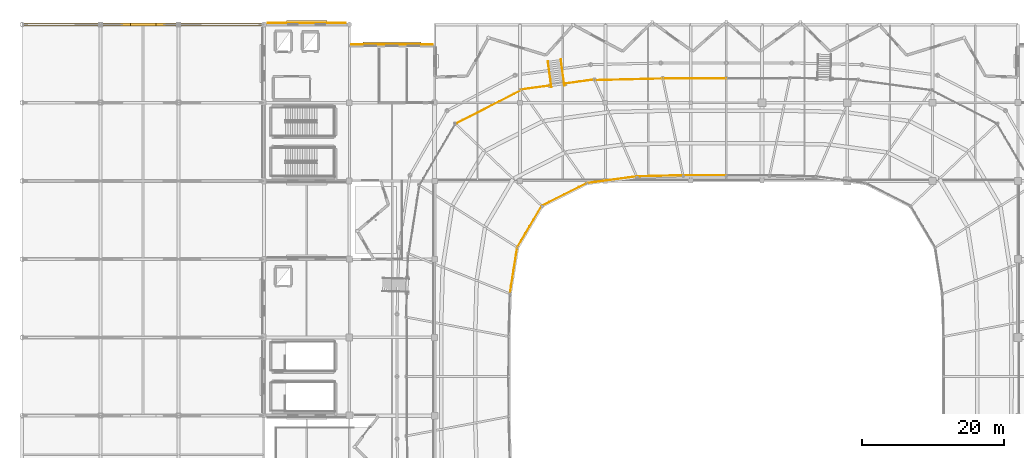
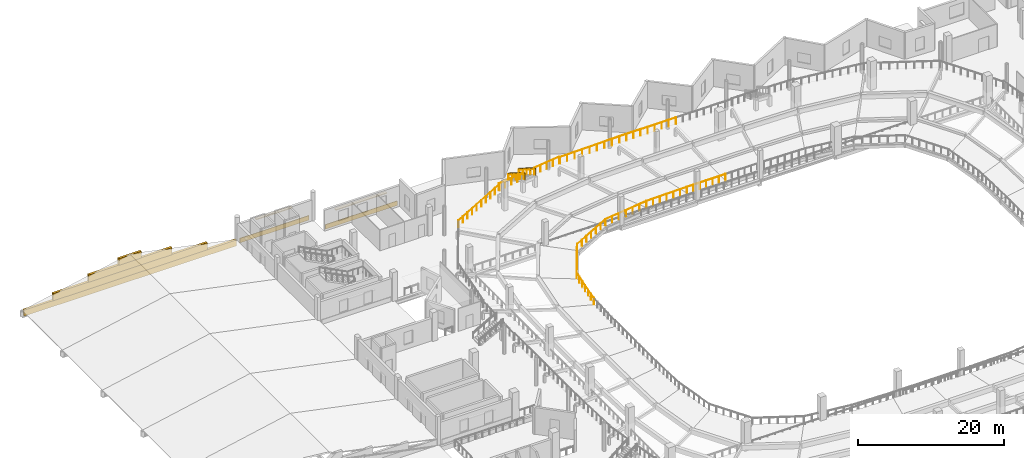
# One storey, part 71 of 77: 15 railings, 8 coverings.
"""IFC4 building model written with IfcOpenShell, lengths in metres."""

import ifcopenshell
import ifcopenshell.guid

model = None  # the IFC model being written
_history = None  # IfcOwnerHistory: only IFC2X3 demands one
_inside = {}  # id of a spatial element -> (the spatial element, [elements in it])
_under = {}  # id of a project, library or spatial element -> (it, [spatial elements below it])
_declared = {}  # id of a project -> (the project, [libraries it declares])
_typed = {}  # id of a type object -> (the type object, [elements of that type])
_made_of = {}  # id of a material, layer set ... -> (it, [elements and type objects made of it])


def new_model(schema):
    """Start an empty IFC model of exactly this schema.

    Asked for "IFC4X3", IfcOpenShell would pick the latest addendum, in which some entities
    have other attributes; the version numbers below select the first issue.
    IFC2X3 requires an IfcOwnerHistory on every rooted entity: one is made here for all.
    """
    global model, _history
    if schema == "IFC4X3":
        model = ifcopenshell.file(schema_version=(4, 3, 0, 0))
    else:
        model = ifcopenshell.file(schema=schema)
    _inside.clear()
    _under.clear()
    _declared.clear()
    _typed.clear()
    _made_of.clear()
    _history = None
    if model.schema == "IFC2X3":
        org = make("IfcOrganization", Name="unknown")
        user = make(
            "IfcPersonAndOrganization",
            ThePerson=make("IfcPerson", FamilyName="unknown"),
            TheOrganization=org,
        )
        app = make(
            "IfcApplication",
            ApplicationDeveloper=org,
            Version="unknown",
            ApplicationFullName="unknown",
            ApplicationIdentifier="unknown",
        )
        _history = make(
            "IfcOwnerHistory",
            OwningUser=user,
            OwningApplication=app,
            ChangeAction="ADDED",
            CreationDate=0,
        )
    return model


def make(cls, **values):
    """One entity of the class cls with the attributes given. An attribute that is None is left unset."""
    return model.create_entity(
        cls, **{name: value for name, value in values.items() if value is not None}
    )


def rooted(cls, **values):
    """An entity with a GlobalId (a new one), such as an element, a storey or a relation."""
    return make(cls, GlobalId=ifcopenshell.guid.new(), OwnerHistory=_history, **values)


def si_unit(unit_type, name, prefix=None):
    """IfcSIUnit, for example si_unit("LENGTHUNIT", "METRE", prefix="MILLI")."""
    return make("IfcSIUnit", UnitType=unit_type, Prefix=prefix, Name=name)


def assignment(units):
    """IfcUnitAssignment: the units of a project."""
    return None if units is None else make("IfcUnitAssignment", Units=units)


def point(xyz):
    """IfcCartesianPoint."""
    return None if xyz is None else make("IfcCartesianPoint", Coordinates=xyz)


def direction(xyz):
    """IfcDirection."""
    return None if xyz is None else make("IfcDirection", DirectionRatios=xyz)


def frame(location, z_axis=None, x_axis=None):
    """IfcAxis2Placement3D, a coordinate frame: its origin and axes. An axis left out is left unset."""
    return make(
        "IfcAxis2Placement3D",
        Location=point(location),
        Axis=direction(z_axis),
        RefDirection=direction(x_axis),
    )


def frame_2d(location, x_axis=None):
    """IfcAxis2Placement2D, a coordinate frame in the plane: its origin and x axis."""
    return make(
        "IfcAxis2Placement2D", Location=point(location), RefDirection=direction(x_axis)
    )


def origin():
    """The frame at (0, 0, 0) with its axes left unset."""
    return frame((0.0, 0.0, 0.0))


def origin_2d():
    """The frame at (0, 0) in the plane with its x axis left unset."""
    return frame_2d((0.0, 0.0))


def place(relative_to, where):
    """IfcLocalPlacement: puts the frame where relative to a parent placement (None: the world)."""
    return make(
        "IfcLocalPlacement", PlacementRelTo=relative_to, RelativePlacement=where
    )


def context(
    kind, dimensions, precision=None, world=None, true_north=None, identifier=None
):
    """IfcGeometricRepresentationContext, for example the 3D "Model" context."""
    return make(
        "IfcGeometricRepresentationContext",
        ContextIdentifier=identifier,
        ContextType=kind,
        CoordinateSpaceDimension=dimensions,
        Precision=precision,
        WorldCoordinateSystem=world,
        TrueNorth=true_north,
    )


def subcontext(parent, identifier, kind, view, scale=None):
    """IfcGeometricRepresentationSubContext, for example "Body" below "Model"."""
    return make(
        "IfcGeometricRepresentationSubContext",
        ContextIdentifier=identifier,
        ContextType=kind,
        ParentContext=parent,
        TargetScale=scale,
        TargetView=view,
    )


def project(units=None, contexts=None):
    """IfcProject with its units and contexts."""
    return rooted(
        "IfcProject",
        Name="project",
        RepresentationContexts=contexts,
        UnitsInContext=assignment(units),
    )


def spatial(cls, under=None, at=None, **own):
    """A site, building, storey or space (cls), placed at a placement, below another one or the project."""
    s = rooted(cls, ObjectPlacement=at, **own)
    if under is not None:
        _under.setdefault(under.id(), (under, []))[1].append(s)
    return s


def profile(cls, at=None, kind="AREA", **sizes):
    """A parametric profile (cls). Its sizes go by their IFC names, for example OverallWidth=200.0."""
    return make(cls, ProfileType=kind, Position=at, **sizes)


def rectangle(**sizes):
    """IfcRectangleProfileDef."""
    return profile("IfcRectangleProfileDef", **sizes)


def circle(**sizes):
    """IfcCircleProfileDef."""
    return profile("IfcCircleProfileDef", **sizes)


def extrude(swept, where, along, depth):
    """IfcExtrudedAreaSolid: the profile swept, set in the frame where, extruded along a direction by depth."""
    return make(
        "IfcExtrudedAreaSolid",
        SweptArea=swept,
        Position=where,
        ExtrudedDirection=direction(along),
        Depth=depth,
    )


def shape(context_of_items, identifier, shape_type, items):
    """IfcShapeRepresentation: the items that make up one representation, for example the "Body"."""
    return make(
        "IfcShapeRepresentation",
        ContextOfItems=context_of_items,
        RepresentationIdentifier=identifier,
        RepresentationType=shape_type,
        Items=items,
    )


def material(Name=None, Category=None):
    """IfcMaterial."""
    return make("IfcMaterial", Name=Name, Category=Category)


def layer(
    of_material, thickness, ventilated=None, Name=None, Category=None, Priority=None
):
    """IfcMaterialLayer: one layer of a wall or slab, of a material (None: an air gap)."""
    return make(
        "IfcMaterialLayer",
        Material=of_material,
        LayerThickness=thickness,
        IsVentilated=ventilated,
        Name=Name,
        Category=Category,
        Priority=Priority,
    )


def layer_set(layers, Name=None):
    """IfcMaterialLayerSet."""
    return make("IfcMaterialLayerSet", MaterialLayers=layers, LayerSetName=Name)


def made_of(thing, what):
    """Note that an element or type object is made of a material, layer set ...; save() writes the relation."""
    if what is not None:
        _made_of.setdefault(what.id(), (what, []))[1].append(thing)
    return thing


def type_object(cls, material=None, **own):
    """A type object (cls), such as IfcWallType, which elements share."""
    return made_of(rooted(cls, **own), material)


def element(
    cls,
    number,
    at=None,
    inside=None,
    cuts=None,
    type_object=None,
    material=None,
    context=None,
    identifier="Body",
    shape_type=None,
    held_by="IfcProductDefinitionShape",
    body=None,
    shapes=None,
    **own,
):
    """One element of the class cls, such as IfcWall. Its Tag is "e" and its number.

    at: its placement. inside: the storey or other place that contains it. cuts: it is an
    opening in that element (IfcRelVoidsElement). A single representation is given by context,
    identifier, shape_type and body (its items); several are given by shapes. held_by: the class
    of the entity that holds the representations. save() writes the other relations.
    """
    e = rooted(cls, Tag="e%d" % number, ObjectPlacement=at, **own)
    if body is not None:
        shapes = [shape(context, identifier, shape_type, body)]
    if shapes is not None:
        e.Representation = make(held_by, Representations=shapes)
    if inside is not None:
        _inside.setdefault(inside.id(), (inside, []))[1].append(e)
    if cuts is not None:
        rooted(
            "IfcRelVoidsElement", RelatingBuildingElement=cuts, RelatedOpeningElement=e
        )
    if type_object is not None:
        _typed.setdefault(type_object.id(), (type_object, []))[1].append(e)
    return made_of(e, material)


def aggregate(whole, parts):
    """IfcRelAggregates: a whole, such as a stair, and the parts it consists of."""
    return rooted("IfcRelAggregates", RelatingObject=whole, RelatedObjects=parts)


def save(model, path):
    """Write the relations noted so far, then the file.

    IfcRelAggregates (storeys below a building ...), IfcRelContainedInSpatialStructure (elements
    in a storey), IfcRelDefinesByType, IfcRelAssociatesMaterial and IfcRelDeclares: one each for
    every whole, place, type object, material and project.
    """
    for whole, parts in _under.values():
        aggregate(whole, parts)
    for where, things in _inside.values():
        rooted(
            "IfcRelContainedInSpatialStructure",
            RelatedElements=things,
            RelatingStructure=where,
        )
    for kind, things in _typed.values():
        rooted("IfcRelDefinesByType", RelatedObjects=things, RelatingType=kind)
    for what, things in _made_of.values():
        rooted("IfcRelAssociatesMaterial", RelatedObjects=things, RelatingMaterial=what)
    for by, libraries in _declared.values():
        rooted("IfcRelDeclares", RelatingContext=by, RelatedDefinitions=libraries)
    model.write(path)


model = new_model("IFC4")

# Units and contexts
model_context = context("Model", 3, precision=1e-05, world=origin(), true_north=direction((0.0, 1.0)))
body_context = subcontext(model_context, "Body", "Model", "MODEL_VIEW")
ifc_project = project(units=[si_unit("LENGTHUNIT", "METRE"), si_unit("AREAUNIT", "SQUARE_METRE"), si_unit("VOLUMEUNIT", "CUBIC_METRE"), si_unit("PLANEANGLEUNIT", "RADIAN"), si_unit("MASSUNIT", "GRAM", prefix="KILO")], contexts=[model_context])

# Site, building, storey
site_placement = place(None, origin())
site = spatial("IfcSite", under=ifc_project, at=site_placement, CompositionType="ELEMENT")
building_placement = place(site_placement, origin())
building = spatial("IfcBuilding", under=site, at=building_placement, Name="Luwafu Chhajja Arena", CompositionType="ELEMENT")
storey_placement = place(building_placement, frame((0.0, 0.0, 14.699951171875)))
storey = spatial("IfcBuildingStorey", under=building, at=storey_placement, Name="L03", CompositionType="ELEMENT", Elevation=14.699951171875)

# Railings
ifc_material_1 = material(Name="Stainless steel balustrade", Category="steel")
railing_type_1 = type_object("IfcRailingType", Name="Atrium Void Glazed Balustrade 1150", PredefinedType="BALUSTRADE", material=ifc_material_1)
for number, where, name in (
    (1, (73.917236328125, 93.825439453125, 0.0), "L03 Vomitory VM-11 Guard L"),
    (2, (75.740478515625, 94.073974609375, 0.0), "L03 Vomitory VM-11 Guard R"),
):
    element("IfcRailing", number, at=place(storey_placement, frame(where)), inside=storey, type_object=railing_type_1, Name=name, PredefinedType="BALUSTRADE", context=body_context, shape_type="SweptSolid", body=[
        extrude(circle(Radius=0.02392578125, at=origin_2d()), frame((0.0, 0.0, 1.1259765625), z_axis=(0.116323302151, -0.852670018924, 0.509335575241), x_axis=(0.990822369828, 0.135170379332, 0.0)), (0.0, 0.0, 1.0), 3.985595703125),
        extrude(circle(Radius=0.02392578125, at=origin_2d()), frame((0.463623046875, -3.3984375, 3.15576171875), z_axis=(0.13472111401, -0.990883555944, 0.0), x_axis=(0.990883555944, 0.13472111401, 0.0)), (0.0, 0.0, 1.0), 0.25),
        extrude(circle(Radius=0.02099609375, at=origin_2d()), origin(), (0.0, 0.0, 1.0), 1.101806640625),
        extrude(circle(Radius=0.02099609375, at=origin_2d()), frame((0.115966796875, -0.849609375, 0.507568359375)), (0.0, 0.0, 1.0), 1.101806640625),
        extrude(circle(Radius=0.02099609375, at=origin_2d()), frame((0.23193359375, -1.69921875, 1.01513671875)), (0.0, 0.0, 1.0), 1.101806640625),
        extrude(circle(Radius=0.02099609375, at=origin_2d()), frame((0.34765625, -2.548828125, 1.5224609375)), (0.0, 0.0, 1.0), 1.101806640625),
        extrude(circle(Radius=0.02099609375, at=origin_2d()), frame((0.463623046875, -3.3984375, 2.030029296875)), (0.0, 0.0, 1.0), 1.101806640625),
        extrude(circle(Radius=0.02099609375, at=origin_2d()), frame((0.497314453125, -3.646240234375, 2.030029296875)), (0.0, 0.0, 1.0), 1.101806640625),
    ])
railing_1_placement = place(storey_placement, frame((70.116455078125, 89.845458984375, 2.030029296875)))
element("IfcRailing", 3, at=railing_1_placement, inside=storey, type_object=railing_type_1, Name="L03 Vomitory VM-11 Wing Guard L", PredefinedType="BALUSTRADE", context=body_context, shape_type="SweptSolid", body=[
    extrude(circle(Radius=0.02392578125, at=origin_2d()), frame((0.0, 0.0, 1.1259765625), z_axis=(0.990829132453, 0.135120798849, 0.0), x_axis=(-0.135120798849, 0.990829132453, 0.0)), (0.0, 0.0, 1.0), 4.303955078125),
    extrude(circle(Radius=0.02099609375, at=origin_2d()), origin(), (0.0, 0.0, 1.0), 1.101806640625),
    extrude(circle(Radius=0.02099609375, at=origin_2d()), frame((1.066162109375, 0.1455078125, 0.0)), (0.0, 0.0, 1.0), 1.101806640625),
    extrude(circle(Radius=0.02099609375, at=origin_2d()), frame((2.13232421875, 0.290771484375, 0.0)), (0.0, 0.0, 1.0), 1.101806640625),
    extrude(circle(Radius=0.02099609375, at=origin_2d()), frame((3.1982421875, 0.43603515625, 0.0)), (0.0, 0.0, 1.0), 1.101806640625),
    extrude(circle(Radius=0.02099609375, at=origin_2d()), frame((4.264404296875, 0.58154296875, 0.0)), (0.0, 0.0, 1.0), 1.101806640625),
])
railing_2_placement = place(storey_placement, frame((76.2041015625, 90.675537109375, 2.030029296875)))
element("IfcRailing", 4, at=railing_2_placement, inside=storey, type_object=railing_type_1, Name="L03 Vomitory VM-11 Wing Guard R", PredefinedType="BALUSTRADE", context=body_context, shape_type="SweptSolid", body=[
    extrude(circle(Radius=0.02392578125, at=origin_2d()), frame((0.0, 0.0, 1.1259765625), z_axis=(0.990835690566, 0.135072700059, 0.0), x_axis=(-0.135072700059, 0.990835690566, 0.0)), (0.0, 0.0, 1.0), 4.3037109375),
    extrude(circle(Radius=0.02099609375, at=origin_2d()), origin(), (0.0, 0.0, 1.0), 1.101806640625),
    extrude(circle(Radius=0.02099609375, at=origin_2d()), frame((1.06591796875, 0.145263671875, 0.0)), (0.0, 0.0, 1.0), 1.101806640625),
    extrude(circle(Radius=0.02099609375, at=origin_2d()), frame((2.132080078125, 0.29052734375, 0.0)), (0.0, 0.0, 1.0), 1.101806640625),
    extrude(circle(Radius=0.02099609375, at=origin_2d()), frame((3.1982421875, 0.43603515625, 0.0)), (0.0, 0.0, 1.0), 1.101806640625),
    extrude(circle(Radius=0.02099609375, at=origin_2d()), frame((4.26416015625, 0.581298828125, 0.0)), (0.0, 0.0, 1.0), 1.101806640625),
])

# Coverings
ifc_material_2 = material(Name="Red laterite sandstone cladding", Category="masonry")
ifc_layer = layer(ifc_material_2, 0.074951171875, Name="Red laterite sandstone cladding")
ifc_layer_set = layer_set([ifc_layer], Name="Red laterite sandstone cladding")
covering_type = type_object("IfcCoveringType", Name="Dressed Red-Laterite Sandstone Cladding", PredefinedType="CLADDING", material=ifc_layer_set)
covering_1_placement = place(storey_placement, frame((17.0, 99.0, 0.0), z_axis=(0.0, 0.0, 1.0), x_axis=(1.0, 0.0, 0.0)))
element("IfcCovering", 5, at=covering_1_placement, inside=storey, type_object=covering_type, Name="L03 Warm-Up N Stepped Ashlar Gable Tympanum 1", PredefinedType="CLADDING", context=body_context, shape_type="SweptSolid", body=[
    extrude(rectangle(XDim=33.60009765625, YDim=0.360107421875, at=origin_2d()), origin(), (0.0, 0.0, 1.0), 1.0),
])
covering_2_placement = place(storey_placement, frame((17.0, 99.0, 0.9501953125), z_axis=(0.0, 0.0, 1.0), x_axis=(1.0, 0.0, 0.0)))
element("IfcCovering", 6, at=covering_2_placement, inside=storey, type_object=covering_type, Name="L03 Warm-Up N Stepped Ashlar Gable Tympanum 2", PredefinedType="CLADDING", context=body_context, shape_type="SweptSolid", body=[
    extrude(rectangle(XDim=24.39990234375, YDim=0.360107421875, at=origin_2d()), origin(), (0.0, 0.0, 1.0), 1.199951171875),
])
covering_3_placement = place(storey_placement, frame((17.0, 99.0, 2.10009765625), z_axis=(0.0, 0.0, 1.0), x_axis=(1.0, 0.0, 0.0)))
element("IfcCovering", 7, at=covering_3_placement, inside=storey, type_object=covering_type, Name="L03 Warm-Up N Stepped Ashlar Gable Tympanum 3", PredefinedType="CLADDING", context=body_context, shape_type="SweptSolid", body=[
    extrude(rectangle(XDim=13.199951171875, YDim=0.360107421875, at=origin_2d()), origin(), (0.0, 0.0, 1.0), 1.199951171875),
])
covering_4_placement = place(storey_placement, frame((17.0, 99.0, 3.25), z_axis=(0.0, 0.0, 1.0), x_axis=(1.0, 0.0, 0.0)))
element("IfcCovering", 8, at=covering_4_placement, inside=storey, type_object=covering_type, Name="L03 Warm-Up N Stepped Ashlar Gable Tympanum 4", PredefinedType="CLADDING", context=body_context, shape_type="SweptSolid", body=[
    extrude(rectangle(XDim=3.60009765625, YDim=0.360107421875, at=origin_2d()), origin(), (0.0, 0.0, 1.0), 1.10009765625),
])
covering_5_placement = place(storey_placement, frame((40.0, 99.23193359375, 0.0), z_axis=(0.0, 0.0, 1.0), x_axis=(1.0, 0.0, 0.0)))
element("IfcCovering", 9, at=covering_5_placement, inside=storey, type_object=covering_type, Name="L03 Red-Laterite Sandstone Plinth Cladding 084", PredefinedType="CLADDING", context=body_context, shape_type="SweptSolid", body=[
    extrude(rectangle(XDim=10.9599609375, YDim=0.0849609375, at=origin_2d()), origin(), (0.0, 0.0, 1.0), 0.760009765625),
])
covering_6_placement = place(storey_placement, frame((40.0, 99.360107421875, 2.93017578125), z_axis=(0.0, 0.0, 1.0), x_axis=(1.0, 0.0, 0.0)))
element("IfcCovering", 10, at=covering_6_placement, inside=storey, type_object=covering_type, Name="L03 Mughal Sandstone Window Chhajja Hood 0078", PredefinedType="CLADDING", context=body_context, shape_type="SweptSolid", body=[
    extrude(rectangle(XDim=5.703369140625, YDim=0.419921875, at=origin_2d()), origin(), (0.0, 0.0, 1.0), 0.139892578125),
])
covering_7_placement = place(storey_placement, frame((52.0, 96.2119140625, 0.0), z_axis=(0.0, 0.0, 1.0), x_axis=(1.0, 0.0, 0.0)))
element("IfcCovering", 11, at=covering_7_placement, inside=storey, type_object=covering_type, Name="L03 Red-Laterite Sandstone Plinth Cladding 087", PredefinedType="CLADDING", context=body_context, shape_type="SweptSolid", body=[
    extrude(rectangle(XDim=11.39990234375, YDim=0.0849609375, at=origin_2d()), origin(), (0.0, 0.0, 1.0), 0.760009765625),
])
covering_8_placement = place(storey_placement, frame((52.0, 96.340087890625, 2.580078125), z_axis=(0.0, 0.0, 1.0), x_axis=(1.0, 0.0, 0.0)))
element("IfcCovering", 12, at=covering_8_placement, inside=storey, type_object=covering_type, Name="L03 Mughal Sandstone Window Chhajja Hood 0081", PredefinedType="CLADDING", context=body_context, shape_type="SweptSolid", body=[
    extrude(rectangle(XDim=8.10009765625, YDim=0.419921875, at=origin_2d()), origin(), (0.0, 0.0, 1.0), 0.139892578125),
])

# Railings
railing_type_2 = type_object("IfcRailingType", Name="Seating Bowl Sightline Barrier 1100", PredefinedType="BALUSTRADE", material=ifc_material_1)
railing_3_placement = place(storey_placement, frame((99.0, 77.800048828125, 0.830078125)))
element("IfcRailing", 13, at=railing_3_placement, inside=storey, type_object=railing_type_2, Name="L03 Upper Tier Front Barrier 0077", PredefinedType="BALUSTRADE", context=body_context, shape_type="SweptSolid", body=[
    extrude(circle(Radius=0.02392578125, at=origin_2d()), frame((0.0, 0.0, 1.09619140625), z_axis=(-0.999999226567, -0.001243730232, 0.0), x_axis=(0.001243730232, -0.999999226567, 0.0)), (0.0, 0.0, 1.0), 6.085205078125),
    extrude(circle(Radius=0.02099609375, at=origin_2d()), origin(), (0.0, 0.0, 1.0), 1.072021484375),
    extrude(circle(Radius=0.02099609375, at=origin_2d()), frame((-1.01416015625, -0.001220703125, 0.0)), (0.0, 0.0, 1.0), 1.072021484375),
    extrude(circle(Radius=0.02099609375, at=origin_2d()), frame((-2.0283203125, -0.00244140625, 0.0)), (0.0, 0.0, 1.0), 1.072021484375),
    extrude(circle(Radius=0.02099609375, at=origin_2d()), frame((-3.04248046875, -0.00390625, 0.0)), (0.0, 0.0, 1.0), 1.072021484375),
    extrude(circle(Radius=0.02099609375, at=origin_2d()), frame((-4.056884765625, -0.005126953125, 0.0)), (0.0, 0.0, 1.0), 1.072021484375),
    extrude(circle(Radius=0.02099609375, at=origin_2d()), frame((-5.071044921875, -0.00634765625, 0.0)), (0.0, 0.0, 1.0), 1.072021484375),
    extrude(circle(Radius=0.02099609375, at=origin_2d()), frame((-6.085205078125, -0.007568359375, 0.0)), (0.0, 0.0, 1.0), 1.072021484375),
])
railing_4_placement = place(storey_placement, frame((99.0, 91.39990234375, 2.030029296875)))
element("IfcRailing", 14, at=railing_4_placement, inside=storey, type_object=railing_type_2, Name="L03 Upper Tier Rear Barrier 0079", PredefinedType="BALUSTRADE", context=body_context, shape_type="SweptSolid", body=[
    extrude(circle(Radius=0.02392578125, at=origin_2d()), frame((0.0, 0.0, 1.09619140625), z_axis=(-0.99999920898, -0.001257791852, 0.0), x_axis=(0.001257791852, -0.99999920898, 0.0)), (0.0, 0.0, 1.0), 8.9287109375),
    extrude(circle(Radius=0.02099609375, at=origin_2d()), origin(), (0.0, 0.0, 1.0), 1.072021484375),
    extrude(circle(Radius=0.02099609375, at=origin_2d()), frame((-1.1162109375, -0.00146484375, 0.0)), (0.0, 0.0, 1.0), 1.072021484375),
    extrude(circle(Radius=0.02099609375, at=origin_2d()), frame((-2.232177734375, -0.0029296875, 0.0)), (0.0, 0.0, 1.0), 1.072021484375),
    extrude(circle(Radius=0.02099609375, at=origin_2d()), frame((-3.34814453125, -0.004150390625, 0.0)), (0.0, 0.0, 1.0), 1.072021484375),
    extrude(circle(Radius=0.02099609375, at=origin_2d()), frame((-4.46435546875, -0.005615234375, 0.0)), (0.0, 0.0, 1.0), 1.072021484375),
    extrude(circle(Radius=0.02099609375, at=origin_2d()), frame((-5.58056640625, -0.007080078125, 0.0)), (0.0, 0.0, 1.0), 1.072021484375),
    extrude(circle(Radius=0.02099609375, at=origin_2d()), frame((-6.696533203125, -0.00830078125, 0.0)), (0.0, 0.0, 1.0), 1.072021484375),
    extrude(circle(Radius=0.02099609375, at=origin_2d()), frame((-7.8125, -0.009765625, 0.0)), (0.0, 0.0, 1.0), 1.072021484375),
    extrude(circle(Radius=0.02099609375, at=origin_2d()), frame((-8.9287109375, -0.01123046875, 0.0)), (0.0, 0.0, 1.0), 1.072021484375),
])
railing_5_placement = place(storey_placement, frame((92.914794921875, 77.79248046875, 0.830078125)))
element("IfcRailing", 15, at=railing_5_placement, inside=storey, type_object=railing_type_2, Name="L03 Upper Tier Front Barrier 0081", PredefinedType="BALUSTRADE", context=body_context, shape_type="SweptSolid", body=[
    extrude(circle(Radius=0.02392578125, at=origin_2d()), frame((0.0, 0.0, 1.09619140625), z_axis=(-0.999712648785, -0.023971229824, 0.0), x_axis=(0.023971229824, -0.999712648785, 0.0)), (0.0, 0.0, 1.0), 6.518310546875),
    extrude(circle(Radius=0.02099609375, at=origin_2d()), origin(), (0.0, 0.0, 1.0), 1.072021484375),
    extrude(circle(Radius=0.02099609375, at=origin_2d()), frame((-1.0859375, -0.026123046875, 0.0)), (0.0, 0.0, 1.0), 1.072021484375),
    extrude(circle(Radius=0.02099609375, at=origin_2d()), frame((-2.172119140625, -0.052001953125, 0.0)), (0.0, 0.0, 1.0), 1.072021484375),
    extrude(circle(Radius=0.02099609375, at=origin_2d()), frame((-3.25830078125, -0.078125, 0.0)), (0.0, 0.0, 1.0), 1.072021484375),
    extrude(circle(Radius=0.02099609375, at=origin_2d()), frame((-4.34423828125, -0.104248046875, 0.0)), (0.0, 0.0, 1.0), 1.072021484375),
    extrude(circle(Radius=0.02099609375, at=origin_2d()), frame((-5.43017578125, -0.130126953125, 0.0)), (0.0, 0.0, 1.0), 1.072021484375),
    extrude(circle(Radius=0.02099609375, at=origin_2d()), frame((-6.516357421875, -0.15625, 0.0)), (0.0, 0.0, 1.0), 1.072021484375),
])
railing_6_placement = place(storey_placement, frame((90.0712890625, 91.388671875, 2.030029296875)))
element("IfcRailing", 16, at=railing_6_placement, inside=storey, type_object=railing_type_2, Name="L03 Upper Tier Rear Barrier 0083", PredefinedType="BALUSTRADE", context=body_context, shape_type="SweptSolid", body=[
    extrude(circle(Radius=0.02392578125, at=origin_2d()), frame((0.0, 0.0, 1.09619140625), z_axis=(-0.999707797912, -0.024172686956, 0.0), x_axis=(0.024172686956, -0.999707797912, 0.0)), (0.0, 0.0, 1.0), 9.564453125),
    extrude(circle(Radius=0.02099609375, at=origin_2d()), origin(), (0.0, 0.0, 1.0), 1.072021484375),
    extrude(circle(Radius=0.02099609375, at=origin_2d()), frame((-1.1953125, -0.02880859375, 0.0)), (0.0, 0.0, 1.0), 1.072021484375),
    extrude(circle(Radius=0.02099609375, at=origin_2d()), frame((-2.390380859375, -0.057861328125, 0.0)), (0.0, 0.0, 1.0), 1.072021484375),
    extrude(circle(Radius=0.02099609375, at=origin_2d()), frame((-3.585693359375, -0.086669921875, 0.0)), (0.0, 0.0, 1.0), 1.072021484375),
    extrude(circle(Radius=0.02099609375, at=origin_2d()), frame((-4.78076171875, -0.11572265625, 0.0)), (0.0, 0.0, 1.0), 1.072021484375),
    extrude(circle(Radius=0.02099609375, at=origin_2d()), frame((-5.97607421875, -0.14453125, 0.0)), (0.0, 0.0, 1.0), 1.072021484375),
    extrude(circle(Radius=0.02099609375, at=origin_2d()), frame((-7.17138671875, -0.17333984375, 0.0)), (0.0, 0.0, 1.0), 1.072021484375),
    extrude(circle(Radius=0.02099609375, at=origin_2d()), frame((-8.366455078125, -0.202392578125, 0.0)), (0.0, 0.0, 1.0), 1.072021484375),
    extrude(circle(Radius=0.02099609375, at=origin_2d()), frame((-9.561767578125, -0.231201171875, 0.0)), (0.0, 0.0, 1.0), 1.072021484375),
])
railing_7_placement = place(storey_placement, frame((86.3984375, 77.63623046875, 0.830078125)))
element("IfcRailing", 17, at=railing_7_placement, inside=storey, type_object=railing_type_2, Name="L03 Upper Tier Front Barrier 0085", PredefinedType="BALUSTRADE", context=body_context, shape_type="SweptSolid", body=[
    extrude(circle(Radius=0.02392578125, at=origin_2d()), frame((0.0, 0.0, 1.09619140625), z_axis=(-0.990994032964, -0.13390603657, 0.0), x_axis=(0.13390603657, -0.990994032964, 0.0)), (0.0, 0.0, 1.0), 7.103271484375),
    extrude(circle(Radius=0.02099609375, at=origin_2d()), origin(), (0.0, 0.0, 1.0), 1.072021484375),
    extrude(circle(Radius=0.02099609375, at=origin_2d()), frame((-1.17333984375, -0.158447265625, 0.0)), (0.0, 0.0, 1.0), 1.072021484375),
    extrude(circle(Radius=0.02099609375, at=origin_2d()), frame((-2.346435546875, -0.317138671875, 0.0)), (0.0, 0.0, 1.0), 1.072021484375),
    extrude(circle(Radius=0.02099609375, at=origin_2d()), frame((-3.51953125, -0.4755859375, 0.0)), (0.0, 0.0, 1.0), 1.072021484375),
    extrude(circle(Radius=0.02099609375, at=origin_2d()), frame((-4.69287109375, -0.634033203125, 0.0)), (0.0, 0.0, 1.0), 1.072021484375),
    extrude(circle(Radius=0.02099609375, at=origin_2d()), frame((-5.8662109375, -0.792724609375, 0.0)), (0.0, 0.0, 1.0), 1.072021484375),
    extrude(circle(Radius=0.02099609375, at=origin_2d()), frame((-7.039306640625, -0.951171875, 0.0)), (0.0, 0.0, 1.0), 1.072021484375),
])
railing_8_placement = place(storey_placement, frame((79.359130859375, 76.68505859375, 0.830078125)))
element("IfcRailing", 18, at=railing_8_placement, inside=storey, type_object=railing_type_2, Name="L03 Upper Tier Front Barrier 0087", PredefinedType="BALUSTRADE", context=body_context, shape_type="SweptSolid", body=[
    extrude(circle(Radius=0.02392578125, at=origin_2d()), frame((0.0, 0.0, 1.09619140625), z_axis=(-0.892232594826, -0.451576125066, 0.0), x_axis=(0.451576125066, -0.892232594826, 0.0)), (0.0, 0.0, 1.0), 7.065185546875),
    extrude(circle(Radius=0.02099609375, at=origin_2d()), origin(), (0.0, 0.0, 1.0), 1.072021484375),
    extrude(circle(Radius=0.02099609375, at=origin_2d()), frame((-1.050537109375, -0.53173828125, 0.0)), (0.0, 0.0, 1.0), 1.072021484375),
    extrude(circle(Radius=0.02099609375, at=origin_2d()), frame((-2.101318359375, -1.0634765625, 0.0)), (0.0, 0.0, 1.0), 1.072021484375),
    extrude(circle(Radius=0.02099609375, at=origin_2d()), frame((-3.15185546875, -1.59521484375, 0.0)), (0.0, 0.0, 1.0), 1.072021484375),
    extrude(circle(Radius=0.02099609375, at=origin_2d()), frame((-4.202392578125, -2.126953125, 0.0)), (0.0, 0.0, 1.0), 1.072021484375),
    extrude(circle(Radius=0.02099609375, at=origin_2d()), frame((-5.253173828125, -2.65869140625, 0.0)), (0.0, 0.0, 1.0), 1.072021484375),
    extrude(circle(Radius=0.02099609375, at=origin_2d()), frame((-6.3037109375, -3.1904296875, 0.0)), (0.0, 0.0, 1.0), 1.072021484375),
])
railing_9_placement = place(storey_placement, frame((70.1806640625, 89.74951171875, 2.030029296875)))
element("IfcRailing", 19, at=railing_9_placement, inside=storey, type_object=railing_type_2, Name="L03 Upper Tier Rear Barrier 0089", PredefinedType="BALUSTRADE", context=body_context, shape_type="SweptSolid", body=[
    extrude(circle(Radius=0.02392578125, at=origin_2d()), frame((0.0, 0.0, 1.09619140625), z_axis=(-0.890572447009, -0.45484141921, 0.0), x_axis=(0.45484141921, -0.890572447009, 0.0)), (0.0, 0.0, 1.0), 10.38623046875),
    extrude(circle(Radius=0.02099609375, at=origin_2d()), origin(), (0.0, 0.0, 1.0), 1.072021484375),
    extrude(circle(Radius=0.02099609375, at=origin_2d()), frame((-1.02783203125, -0.52490234375, 0.0)), (0.0, 0.0, 1.0), 1.072021484375),
    extrude(circle(Radius=0.02099609375, at=origin_2d()), frame((-2.055419921875, -1.0498046875, 0.0)), (0.0, 0.0, 1.0), 1.072021484375),
    extrude(circle(Radius=0.02099609375, at=origin_2d()), frame((-3.083251953125, -1.57470703125, 0.0)), (0.0, 0.0, 1.0), 1.072021484375),
    extrude(circle(Radius=0.02099609375, at=origin_2d()), frame((-4.111083984375, -2.099609375, 0.0)), (0.0, 0.0, 1.0), 1.072021484375),
    extrude(circle(Radius=0.02099609375, at=origin_2d()), frame((-5.138671875, -2.62451171875, 0.0)), (0.0, 0.0, 1.0), 1.072021484375),
    extrude(circle(Radius=0.02099609375, at=origin_2d()), frame((-6.16650390625, -3.1494140625, 0.0)), (0.0, 0.0, 1.0), 1.072021484375),
    extrude(circle(Radius=0.02099609375, at=origin_2d()), frame((-7.1943359375, -3.67431640625, 0.0)), (0.0, 0.0, 1.0), 1.072021484375),
    extrude(circle(Radius=0.02099609375, at=origin_2d()), frame((-8.221923828125, -4.19921875, 0.0)), (0.0, 0.0, 1.0), 1.072021484375),
    extrude(circle(Radius=0.02099609375, at=origin_2d()), frame((-9.249755859375, -4.72412109375, 0.0)), (0.0, 0.0, 1.0), 1.072021484375),
])
railing_10_placement = place(storey_placement, frame((73.055419921875, 73.49462890625, 0.830078125)))
element("IfcRailing", 20, at=railing_10_placement, inside=storey, type_object=railing_type_2, Name="L03 Upper Tier Front Barrier 0091", PredefinedType="BALUSTRADE", context=body_context, shape_type="SweptSolid", body=[
    extrude(circle(Radius=0.02392578125, at=origin_2d()), frame((0.0, 0.0, 1.09619140625), z_axis=(-0.509265878508, -0.860609240589, 0.0), x_axis=(0.860609240589, -0.509265878508, 0.0)), (0.0, 0.0, 1.0), 6.7744140625),
    extrude(circle(Radius=0.02099609375, at=origin_2d()), origin(), (0.0, 0.0, 1.0), 1.072021484375),
    extrude(circle(Radius=0.02099609375, at=origin_2d()), frame((-0.574951171875, -0.9716796875, 0.0)), (0.0, 0.0, 1.0), 1.072021484375),
    extrude(circle(Radius=0.02099609375, at=origin_2d()), frame((-1.14990234375, -1.943359375, 0.0)), (0.0, 0.0, 1.0), 1.072021484375),
    extrude(circle(Radius=0.02099609375, at=origin_2d()), frame((-1.72509765625, -2.9150390625, 0.0)), (0.0, 0.0, 1.0), 1.072021484375),
    extrude(circle(Radius=0.02099609375, at=origin_2d()), frame((-2.300048828125, -3.88671875, 0.0)), (0.0, 0.0, 1.0), 1.072021484375),
    extrude(circle(Radius=0.02099609375, at=origin_2d()), frame((-2.875, -4.8583984375, 0.0)), (0.0, 0.0, 1.0), 1.072021484375),
    extrude(circle(Radius=0.02099609375, at=origin_2d()), frame((-3.449951171875, -5.830078125, 0.0)), (0.0, 0.0, 1.0), 1.072021484375),
])
railing_11_placement = place(storey_placement, frame((69.60546875, 67.66455078125, 0.830078125)))
element("IfcRailing", 21, at=railing_11_placement, inside=storey, type_object=railing_type_2, Name="L03 Upper Tier Front Barrier 0095", PredefinedType="BALUSTRADE", context=body_context, shape_type="SweptSolid", body=[
    extrude(circle(Radius=0.02392578125, at=origin_2d()), frame((0.0, 0.0, 1.09619140625), z_axis=(-0.156019637452, -0.987753953538, 0.0), x_axis=(0.987753953538, -0.156019637452, 0.0)), (0.0, 0.0, 1.0), 6.591064453125),
    extrude(circle(Radius=0.02099609375, at=origin_2d()), origin(), (0.0, 0.0, 1.0), 1.072021484375),
    extrude(circle(Radius=0.02099609375, at=origin_2d()), frame((-0.17138671875, -1.0849609375, 0.0)), (0.0, 0.0, 1.0), 1.072021484375),
    extrude(circle(Radius=0.02099609375, at=origin_2d()), frame((-0.3427734375, -2.170166015625, 0.0)), (0.0, 0.0, 1.0), 1.072021484375),
    extrude(circle(Radius=0.02099609375, at=origin_2d()), frame((-0.51416015625, -3.255126953125, 0.0)), (0.0, 0.0, 1.0), 1.072021484375),
    extrude(circle(Radius=0.02099609375, at=origin_2d()), frame((-0.685546875, -4.340087890625, 0.0)), (0.0, 0.0, 1.0), 1.072021484375),
    extrude(circle(Radius=0.02099609375, at=origin_2d()), frame((-0.85693359375, -5.42529296875, 0.0)), (0.0, 0.0, 1.0), 1.072021484375),
    extrude(circle(Radius=0.02099609375, at=origin_2d()), frame((-1.0283203125, -6.51025390625, 0.0)), (0.0, 0.0, 1.0), 1.072021484375),
])
ifc_material_3 = material(Name="Stainless steel handrail", Category="steel")
railing_type_3 = type_object("IfcRailingType", Name="Stair Pitch Wall Handrail 920", PredefinedType="HANDRAIL", material=ifc_material_3)
for number, where, name in (
    (22, (73.917236328125, 93.825439453125, 0.0), "L03 Vomitory VM-11 Handrail L"),
    (23, (75.740478515625, 94.073974609375, 0.0), "L03 Vomitory VM-11 Handrail R"),
):
    element("IfcRailing", number, at=place(storey_placement, frame(where)), inside=storey, type_object=railing_type_3, Name=name, PredefinedType="HANDRAIL", context=body_context, shape_type="SweptSolid", body=[
        extrude(circle(Radius=0.02392578125, at=origin_2d()), frame((0.0, 0.0, 0.89599609375), z_axis=(0.116323302151, -0.852670018924, 0.509335575241), x_axis=(0.990822369828, 0.135170379332, 0.0)), (0.0, 0.0, 1.0), 3.985595703125),
        extrude(circle(Radius=0.02099609375, at=origin_2d()), origin(), (0.0, 0.0, 1.0), 0.871826171875),
        extrude(circle(Radius=0.02099609375, at=origin_2d()), frame((0.115966796875, -0.849609375, 0.507568359375)), (0.0, 0.0, 1.0), 0.871826171875),
        extrude(circle(Radius=0.02099609375, at=origin_2d()), frame((0.23193359375, -1.69921875, 1.01513671875)), (0.0, 0.0, 1.0), 0.871826171875),
        extrude(circle(Radius=0.02099609375, at=origin_2d()), frame((0.34765625, -2.548828125, 1.5224609375)), (0.0, 0.0, 1.0), 0.871826171875),
        extrude(circle(Radius=0.02099609375, at=origin_2d()), frame((0.463623046875, -3.3984375, 2.030029296875)), (0.0, 0.0, 1.0), 0.871826171875),
    ])

save(model, "model.ifc")
